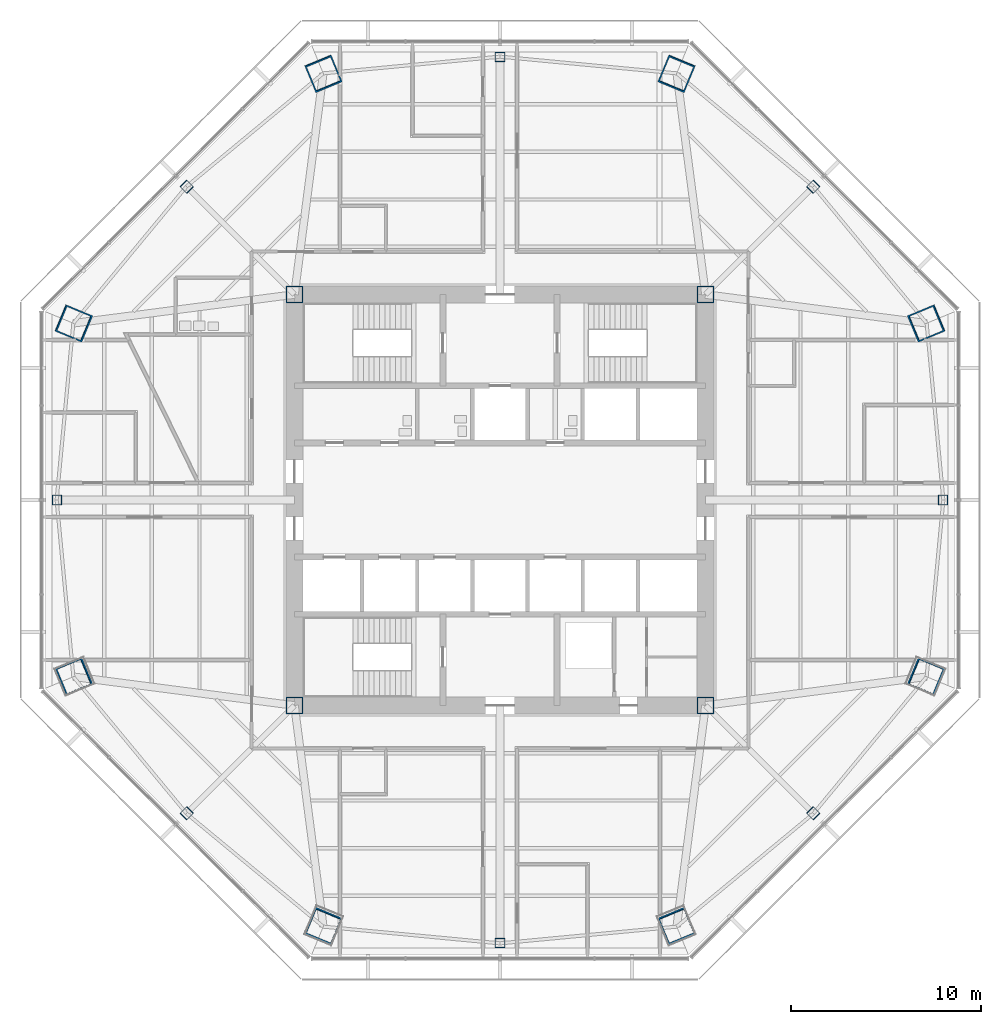
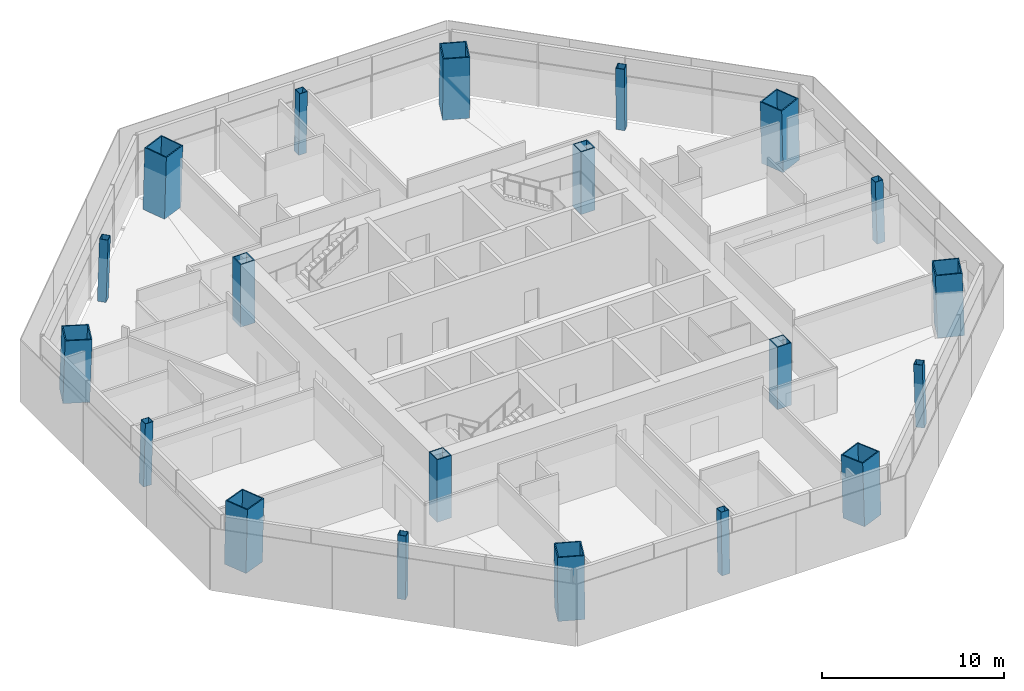
# One storey, part 1 of 14: 20 columns.
"""IFC4 building model written with IfcOpenShell, lengths in metres."""

from ifc_helpers import new_model, si_unit, direction, frame, origin, origin_2d, place, context, subcontext, project, spatial, hollow_rectangle, extrude, material, material_profile, profile_set, type_object, element, save


model = new_model("IFC4")

# Units and contexts
model_context = context("Model", 3, precision=1e-05, world=origin(), true_north=direction((0.0, 1.0)))
body_context = subcontext(model_context, "Body", "Model", "MODEL_VIEW")
ifc_project = project(units=[si_unit("LENGTHUNIT", "METRE"), si_unit("AREAUNIT", "SQUARE_METRE"), si_unit("VOLUMEUNIT", "CUBIC_METRE"), si_unit("PLANEANGLEUNIT", "RADIAN"), si_unit("MASSUNIT", "GRAM", prefix="KILO")], contexts=[model_context])

# Site, building, storey
site_placement = place(None, origin())
site = spatial("IfcSite", under=ifc_project, at=site_placement, CompositionType="ELEMENT")
building_placement = place(site_placement, origin())
building = spatial("IfcBuilding", under=site, at=building_placement, Name="Mashrafa Tower", CompositionType="ELEMENT")
storey_placement = place(building_placement, frame((0.0, 0.0, 138.60009765625)))
storey = spatial("IfcBuildingStorey", under=building, at=storey_placement, Name="L31", CompositionType="ELEMENT", Elevation=138.60009765625)

# Columns
ifc_material_1 = material(Name="Steel ASTM A572 Gr 50", Category="steel")
ifc_material_profile_1 = material_profile(ifc_material_1, hollow_rectangle(XDim=0.89990234375, YDim=0.89990234375, WallThickness=0.06005859375, at=origin_2d()), Name="BOX900X900X60")
ifc_profile_set_1 = profile_set([ifc_material_profile_1], Name="Steel ASTM A572 Gr 50")
column_type_1 = type_object("IfcColumnType", Name="Core corner column BOX900X900X60", PredefinedType="COLUMN", material=ifc_profile_set_1)
for number, where, z_axis, x_axis, name in (
    (1, (10.800048828125, 10.800048828125, 0.0), (0.0, 0.0, 1.0), (1.0, 0.0, 0.0), "Core corner column CC-NE L31"),
    (2, (-10.800048828125, 10.800048828125, 0.0), (0.0, 0.0, 1.0), (1.0, 0.0, 0.0), "Core corner column CC-NW L31"),
    (3, (-10.800048828125, -10.800048828125, 0.0), (0.0, 0.0, 1.0), (1.0, 0.0, 0.0), "Core corner column CC-SW L31"),
    (4, (10.800048828125, -10.800048828125, 0.0), (0.0, 0.0, 1.0), (1.0, 0.0, 0.0), "Core corner column CC-SE L31"),
):
    element("IfcColumn", number, at=place(storey_placement, frame(where, z_axis=z_axis, x_axis=x_axis)), inside=storey, type_object=column_type_1, Name=name, PredefinedType="COLUMN", context=body_context, shape_type="SweptSolid", body=[
        extrude(hollow_rectangle(XDim=0.89990234375, YDim=0.89990234375, WallThickness=0.06005859375, at=origin_2d()), origin(), (0.0, 0.0, 1.0), 4.199951171875),
    ])
ifc_material_2 = material(Name="Steel ASTM A572 Gr 50", Category="steel")
ifc_material_profile_2 = material_profile(ifc_material_2, hollow_rectangle(XDim=1.5, YDim=1.5, WallThickness=0.070068359375, at=origin_2d()), Name="BOX1500X1500X70")
ifc_profile_set_2 = profile_set([ifc_material_profile_2], Name="Steel ASTM A572 Gr 50")
column_type_2 = type_object("IfcColumnType", Name="Mega column CFST BOX1500X1500X70", PredefinedType="COLUMN", material=ifc_profile_set_2)
for number, where, z_axis, x_axis, name in (
    (5, (22.415771484375, 9.284912109375, 0.0), (-0.028295730207, -0.011736627314, 0.99953069149), (0.383133442967, -0.923693003589, 0.0), "Mega column MC1 L31"),
    (6, (9.284912109375, 22.415771484375, 0.0), (-0.011736627314, -0.028295730207, 0.99953069149), (0.923693003589, -0.383133442967, 0.0), "Mega column MC2 L31"),
    (7, (-9.284912109375, 22.415771484375, 0.0), (0.011736627314, -0.028295730207, 0.99953069149), (0.923693003589, 0.383133442967, 0.0), "Mega column MC3 L31"),
    (8, (-22.415771484375, 9.284912109375, 0.0), (0.028295730207, -0.011736627314, 0.99953069149), (0.383133442967, 0.923693003589, 0.0), "Mega column MC4 L31"),
    (9, (-22.415771484375, -9.284912109375, 0.0), (0.028295730207, 0.011736627314, 0.99953069149), (-0.383133442967, 0.923693003589, 0.0), "Mega column MC5 L31"),
    (10, (-9.284912109375, -22.415771484375, 0.0), (0.011736627314, 0.028295730207, 0.99953069149), (-0.923693003589, 0.383133442967, 0.0), "Mega column MC6 L31"),
    (11, (9.284912109375, -22.415771484375, 0.0), (-0.011736627314, 0.028295730207, 0.99953069149), (-0.923693003589, -0.383133442967, 0.0), "Mega column MC7 L31"),
    (12, (22.415771484375, -9.284912109375, 0.0), (-0.028295730207, 0.011736627314, 0.99953069149), (-0.383133442967, -0.923693003589, 0.0), "Mega column MC8 L31"),
):
    element("IfcColumn", number, at=place(storey_placement, frame(where, z_axis=z_axis, x_axis=x_axis)), inside=storey, type_object=column_type_2, Name=name, PredefinedType="COLUMN", context=body_context, shape_type="SweptSolid", body=[
        extrude(hollow_rectangle(XDim=1.5, YDim=1.5, WallThickness=0.070068359375, at=origin_2d()), origin(), (0.0, 0.0, 1.0), 4.201904296875),
    ])
ifc_material_3 = material(Name="Steel ASTM A572 Gr 50", Category="steel")
ifc_material_profile_3 = material_profile(ifc_material_3, hollow_rectangle(XDim=0.5, YDim=0.5, WallThickness=0.02490234375, at=origin_2d()), Name="BOX500X500X25")
ifc_profile_set_3 = profile_set([ifc_material_profile_3], Name="Steel ASTM A572 Gr 50")
column_type_3 = type_object("IfcColumnType", Name="Secondary column BOX500X500X25", PredefinedType="COLUMN", material=ifc_profile_set_3)
for number, where, z_axis, x_axis, name in (
    (13, (23.2939453125, 0.0, 0.0), (-0.028297679255, 0.0, 0.99959954049), (0.0, -1.0, 0.0), "Secondary column SC1 L31"),
    (14, (16.47119140625, 16.47119140625, 0.0), (-0.019988521213, -0.019988521213, 0.999600379171), (0.707106781187, -0.707106781187, 0.0), "Secondary column SC2 L31"),
    (15, (0.0, 23.2939453125, 0.0), (0.0, -0.028297679255, 0.99959954049), (1.0, 0.0, 0.0), "Secondary column SC3 L31"),
    (16, (-16.47119140625, 16.47119140625, 0.0), (0.019988521213, -0.019988521213, 0.999600379171), (0.707106781187, 0.707106781187, 0.0), "Secondary column SC4 L31"),
    (17, (-23.2939453125, 0.0, 0.0), (0.028297679255, 0.0, 0.99959954049), (0.0, 1.0, 0.0), "Secondary column SC5 L31"),
    (18, (-16.47119140625, -16.47119140625, 0.0), (0.019988521213, 0.019988521213, 0.999600379171), (-0.707106781187, 0.707106781187, 0.0), "Secondary column SC6 L31"),
    (19, (0.0, -23.2939453125, 0.0), (0.0, 0.028297679255, 0.99959954049), (-1.0, 0.0, 0.0), "Secondary column SC7 L31"),
    (20, (16.47119140625, -16.47119140625, 0.0), (-0.019988521213, 0.019988521213, 0.999600379171), (-0.707106781187, -0.707106781187, 0.0), "Secondary column SC8 L31"),
):
    element("IfcColumn", number, at=place(storey_placement, frame(where, z_axis=z_axis, x_axis=x_axis)), inside=storey, type_object=column_type_3, Name=name, PredefinedType="COLUMN", context=body_context, shape_type="SweptSolid", body=[
        extrude(hollow_rectangle(XDim=0.5, YDim=0.5, WallThickness=0.02490234375, at=origin_2d()), origin(), (0.0, 0.0, 1.0), 4.20166015625),
    ])

save(model, "model.ifc")
